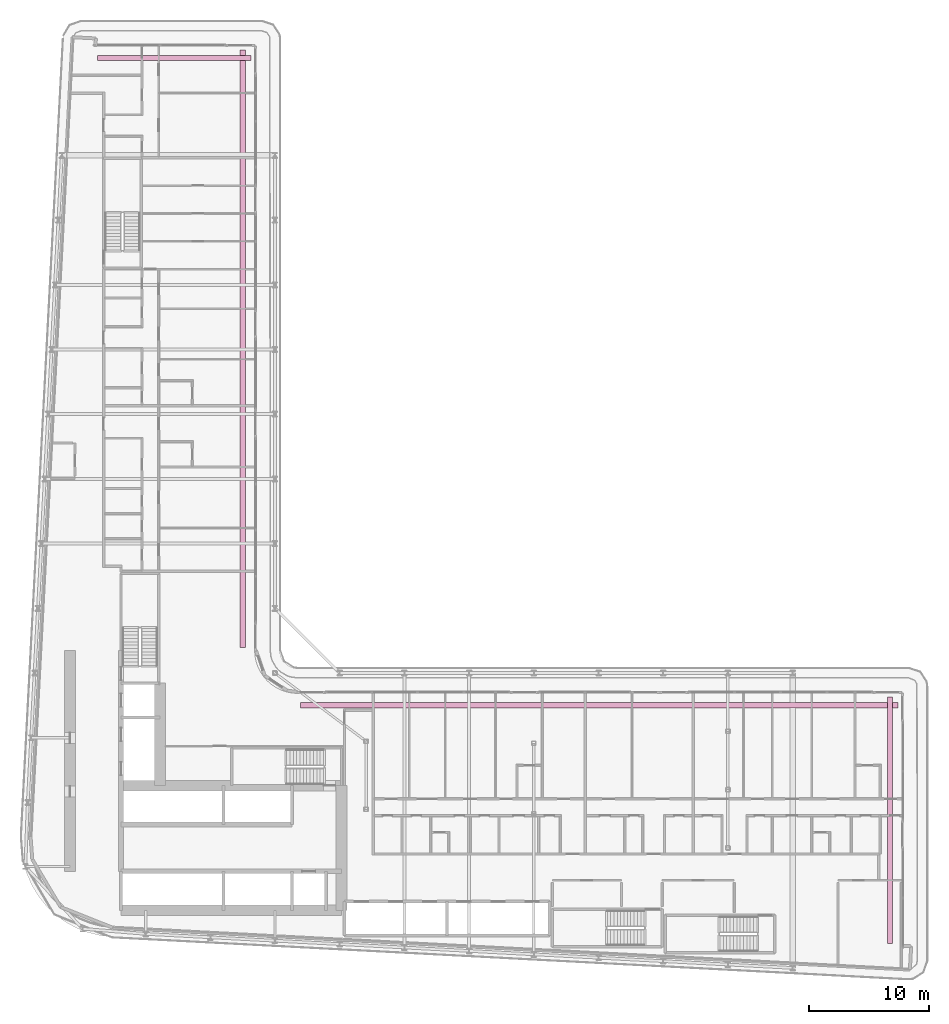
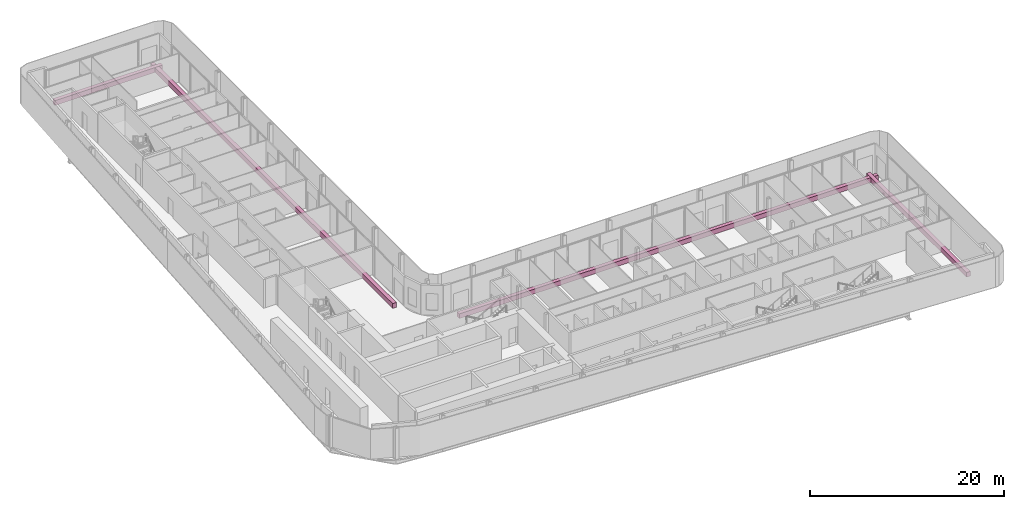
# One storey, part 28 of 28: 4 furniture elements.
"""IFC4 building model written with IfcOpenShell, lengths in metres."""

from ifc_helpers import new_model, si_unit, direction, frame, origin, origin_2d, place, context, subcontext, project, spatial, rectangle, extrude, material, type_object, element, save


model = new_model("IFC4")

# Units and contexts
model_context = context("Model", 3, precision=1e-05, world=origin(), true_north=direction((0.0, 1.0)))
body_context = subcontext(model_context, "Body", "Model", "MODEL_VIEW")
ifc_project = project(units=[si_unit("LENGTHUNIT", "METRE"), si_unit("AREAUNIT", "SQUARE_METRE"), si_unit("VOLUMEUNIT", "CUBIC_METRE"), si_unit("PLANEANGLEUNIT", "RADIAN"), si_unit("MASSUNIT", "GRAM", prefix="KILO")], contexts=[model_context])

# Site, building, storey
site_placement = place(None, origin())
site = spatial("IfcSite", under=ifc_project, at=site_placement, CompositionType="ELEMENT")
building_placement = place(site_placement, origin())
building = spatial("IfcBuilding", under=site, at=building_placement, Name="Kheshtan School and Residences Tower", CompositionType="ELEMENT")
storey_placement = place(building_placement, frame((0.0, 0.0, 140.89990234375)))
storey = spatial("IfcBuildingStorey", under=building, at=storey_placement, Name="L33", CompositionType="ELEMENT", Elevation=140.89990234375)

# Furniture
ifc_material = material(Name="Precast concrete C30/37 in terracotta finish", Category="masonry")
furniture_type = type_object("IfcFurnitureType", Name="Planter trough", AssemblyPlace="NOTDEFINED", PredefinedType="USERDEFINED", material=ifc_material)
furniture_1_placement = place(storey_placement, frame((39.196044921875, 96.925048828125, 0.0), z_axis=(0.0, 0.0, 1.0), x_axis=(1.0, 0.0, 0.0)))
element("IfcFurniture", 1, at=furniture_1_placement, inside=storey, type_object=furniture_type, Name="Planter L33", ObjectType="PLANTER", PredefinedType="USERDEFINED", context=body_context, shape_type="SweptSolid", body=[
    extrude(rectangle(XDim=12.80810546875, YDim=0.449951171875, at=origin_2d()), origin(), (0.0, 0.0, 1.0), 0.60009765625),
])
for number, where, z_axis, x_axis, name in (
    (2, (44.925048828125, 72.6650390625, 0.0), (0.0, 0.0, 1.0), (0.0, -1.0, 0.0), "Planter L33"),
    (3, (74.6650390625, 42.925048828125, 0.0), (0.0, 0.0, 1.0), (1.0, 0.0, 0.0), "Planter L33"),
):
    element("IfcFurniture", number, at=place(storey_placement, frame(where, z_axis=z_axis, x_axis=x_axis)), inside=storey, type_object=furniture_type, Name=name, ObjectType="PLANTER", PredefinedType="USERDEFINED", context=body_context, shape_type="SweptSolid", body=[
        extrude(rectangle(XDim=49.8701171875, YDim=0.449951171875, at=origin_2d()), origin(), (0.0, 0.0, 1.0), 0.60009765625),
    ])
furniture_2_placement = place(storey_placement, frame((98.925048828125, 33.306884765625, 0.0), z_axis=(0.0, 0.0, 1.0), x_axis=(0.0, -1.0, 0.0)))
element("IfcFurniture", 4, at=furniture_2_placement, inside=storey, type_object=furniture_type, Name="Planter L33", ObjectType="PLANTER", PredefinedType="USERDEFINED", context=body_context, shape_type="SweptSolid", body=[
    extrude(rectangle(XDim=20.5859375, YDim=0.449951171875, at=origin_2d()), origin(), (0.0, 0.0, 1.0), 0.60009765625),
])

save(model, "model.ifc")
